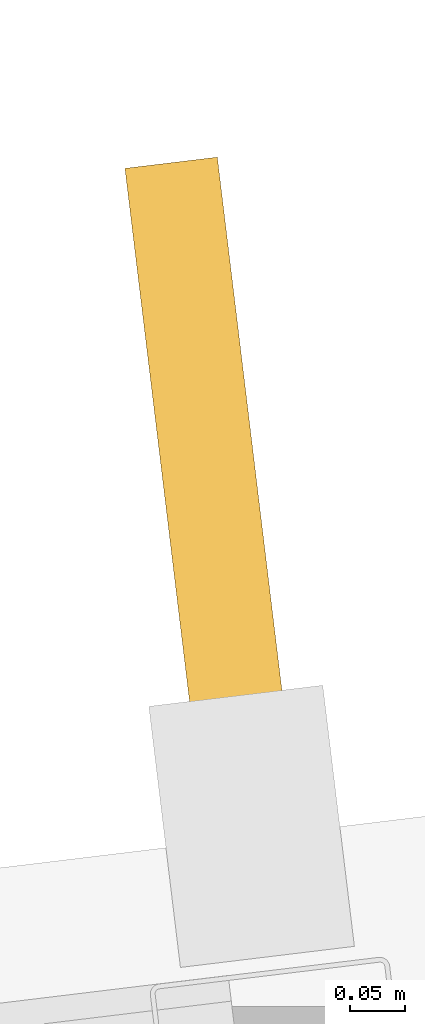
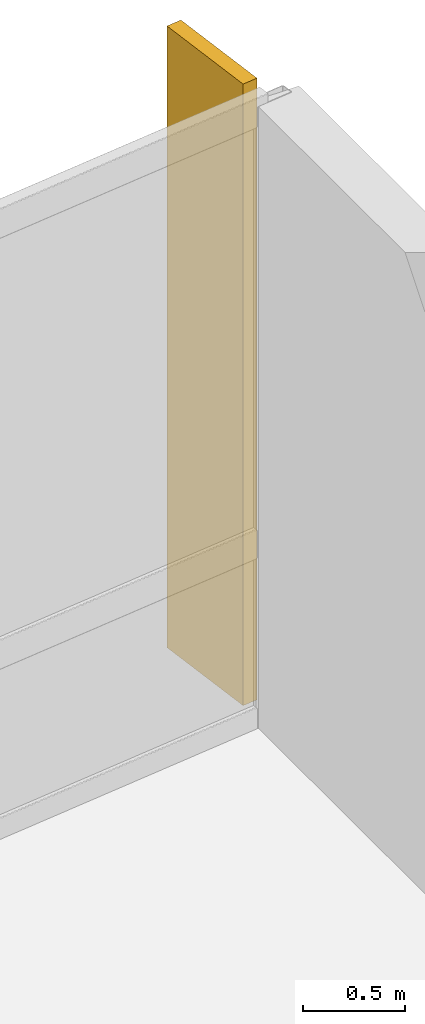
# One storey, part 19 of 19: 1 shading device.
"""IFC4 building model written with IfcOpenShell, lengths in metres."""

from ifc_helpers import new_model, si_unit, direction, frame, origin, origin_2d, place, context, subcontext, project, spatial, rectangle, extrude, material, layer, layer_set, type_object, element, save


model = new_model("IFC4")

# Units and contexts
model_context = context("Model", 3, precision=1e-05, world=origin(), true_north=direction((0.0, 1.0)))
body_context = subcontext(model_context, "Body", "Model", "MODEL_VIEW")
ifc_project = project(units=[si_unit("LENGTHUNIT", "METRE"), si_unit("AREAUNIT", "SQUARE_METRE"), si_unit("VOLUMEUNIT", "CUBIC_METRE"), si_unit("PLANEANGLEUNIT", "RADIAN"), si_unit("MASSUNIT", "GRAM", prefix="KILO")], contexts=[model_context])

# Site, building, storey
site_placement = place(None, origin())
site = spatial("IfcSite", under=ifc_project, at=site_placement, CompositionType="ELEMENT")
building_placement = place(site_placement, origin())
building = spatial("IfcBuilding", under=site, at=building_placement, Name="Varnakote Quay Hospital", CompositionType="ELEMENT")
storey_placement = place(building_placement, frame((0.0, 0.0, 115.199951171875)))
storey = spatial("IfcBuildingStorey", under=building, at=storey_placement, Name="L28", CompositionType="ELEMENT", Elevation=115.199951171875)

# Shading device
ifc_material = material(Name="Anodised aluminium 6063-T6 Bronze", Category="aluminium")
ifc_layer = layer(ifc_material, 0.0849609375)
ifc_layer_set = layer_set([ifc_layer], Name="Anodised aluminium 6063-T6 Bronze")
shading_device_type = type_object("IfcShadingDeviceType", Name="SHD-BRONZE-FIN-620", PredefinedType="USERDEFINED", material=ifc_layer_set)
shading_device_placement = place(storey_placement, frame((53.9462890625, 33.381591796875, 0.0), z_axis=(0.0, 0.0, 1.0), x_axis=(0.120310105847, -0.992736358975, 0.0)))
element("IfcShadingDevice", 1, at=shading_device_placement, inside=storey, type_object=shading_device_type, Name="L28 Anodised Bronze Vertical Shading FIN", ObjectType="FIN", PredefinedType="USERDEFINED", context=body_context, shape_type="SweptSolid", body=[
    extrude(rectangle(XDim=0.6201171875, YDim=0.0849609375, at=origin_2d()), origin(), (0.0, 0.0, 1.0), 3.7099609375),
])

save(model, "model.ifc")
